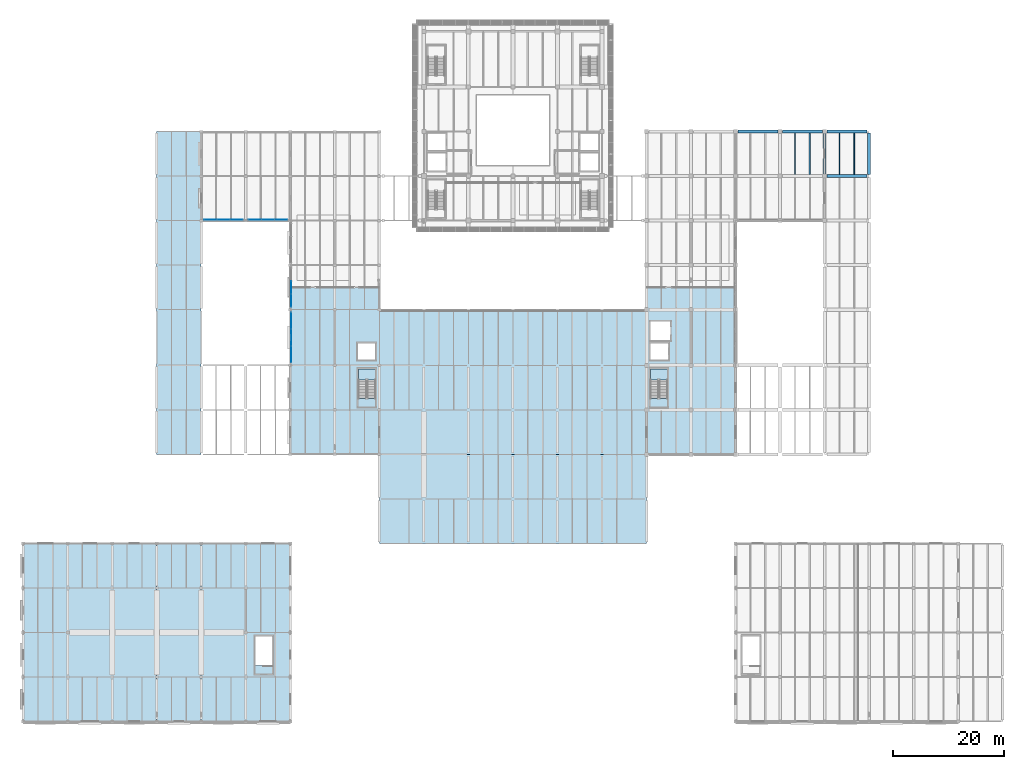
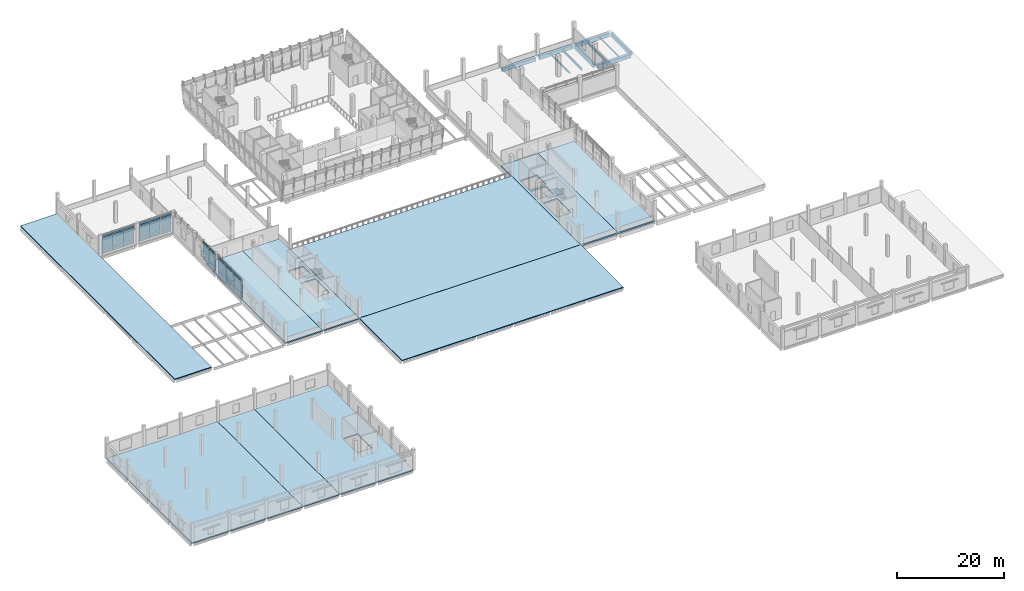
# One storey, part 22 of 52: 33 plates, 12 slabs, 10 beams, 6 elements without a shape of their own.
"""IFC4 building model written with IfcOpenShell, lengths in metres."""

from ifc_helpers import new_model, si_unit, direction, frame, origin, origin_2d, place, context, subcontext, project, spatial, polyline, rectangle, i_section, outline, extrude, material, layer, layer_set, material_profile, profile_set, type_object, element, aggregate, save


model = new_model("IFC4")

# Units and contexts
model_context = context("Model", 3, precision=1e-05, world=origin(), true_north=direction((0.0, 1.0)))
body_context = subcontext(model_context, "Body", "Model", "MODEL_VIEW")
ifc_project = project(units=[si_unit("LENGTHUNIT", "METRE"), si_unit("AREAUNIT", "SQUARE_METRE"), si_unit("VOLUMEUNIT", "CUBIC_METRE"), si_unit("PLANEANGLEUNIT", "RADIAN"), si_unit("MASSUNIT", "GRAM", prefix="KILO")], contexts=[model_context])

# Site, building, storey
site_placement = place(None, origin())
site = spatial("IfcSite", under=ifc_project, at=site_placement, CompositionType="ELEMENT")
building_placement = place(site_placement, origin())
building = spatial("IfcBuilding", under=site, at=building_placement, Name="Pecanmere Concourse Central Library", CompositionType="ELEMENT")
storey_placement = place(building_placement, frame((0.0, 0.0, 10.5)))
storey = spatial("IfcBuildingStorey", under=building, at=storey_placement, Name="L03", CompositionType="ELEMENT", Elevation=10.5)

# Beams
ifc_material_1 = material(Name="Concrete C40/50", Category="concrete")
ifc_material_profile_1 = material_profile(ifc_material_1, rectangle(XDim=0.52001953125, YDim=0.77001953125, at=origin_2d()), Name="RC 520x770")
ifc_profile_set_1 = profile_set([ifc_material_profile_1], Name="Concrete C40/50")
beam_type_1 = type_object("IfcBeamType", Name="GRD_520x770", PredefinedType="USERDEFINED", material=ifc_profile_set_1)
for number, where, z_axis, x_axis, name in (
    (1, (144.0, 98.300048828125, -0.72509765625), (0.0, 1.0, 0.0), (-1.0, 0.0, 0.0), "Primary Girder Y L03-1811"),
    (2, (152.0, 98.300048828125, -0.72509765625), (0.0, 1.0, 0.0), (-1.0, 0.0, 0.0), "Primary Girder Y L03-1822"),
):
    element("IfcBeam", number, at=place(storey_placement, frame(where, z_axis=z_axis, x_axis=x_axis)), inside=storey, type_object=beam_type_1, Name=name, ObjectType="GIRDER", PredefinedType="USERDEFINED", context=body_context, shape_type="SweptSolid", body=[
        extrude(rectangle(XDim=0.52001953125, YDim=0.77001953125, at=origin_2d()), origin(), (0.0, 0.0, 1.0), 7.39990234375),
    ])
ifc_material_2 = material(Name="Concrete C40/50", Category="concrete")
ifc_material_profile_2 = material_profile(ifc_material_2, rectangle(XDim=0.580078125, YDim=0.860107421875, at=origin_2d()), Name="RC 580x860")
ifc_profile_set_2 = profile_set([ifc_material_profile_2], Name="Concrete C40/50")
beam_type_2 = type_object("IfcBeamType", Name="GRD_580x860", PredefinedType="USERDEFINED", material=ifc_profile_set_2)
for number, where, z_axis, x_axis, name in (
    (3, (144.39990234375, 98.0, -0.77001953125), (1.0, 0.0, 0.0), (0.0, 1.0, 0.0), "Primary Girder X L03-1637"),
    (4, (128.39990234375, 106.0, -0.77001953125), (1.0, 0.0, 0.0), (0.0, 1.0, 0.0), "Primary Girder X L03-1647"),
    (5, (136.39990234375, 106.0, -0.77001953125), (1.0, 0.0, 0.0), (0.0, 1.0, 0.0), "Primary Girder X L03-1648"),
    (6, (144.39990234375, 106.0, -0.77001953125), (1.0, 0.0, 0.0), (0.0, 1.0, 0.0), "Primary Girder X L03-1649"),
):
    element("IfcBeam", number, at=place(storey_placement, frame(where, z_axis=z_axis, x_axis=x_axis)), inside=storey, type_object=beam_type_2, Name=name, ObjectType="GIRDER", PredefinedType="USERDEFINED", context=body_context, shape_type="SweptSolid", body=[
        extrude(rectangle(XDim=0.580078125, YDim=0.860107421875, at=origin_2d()), origin(), (0.0, 0.0, 1.0), 7.2001953125),
    ])
ifc_material_3 = material(Name="Structural steel ASTM A992 Grade 50", Category="steel")
ifc_material_profile_3 = material_profile(ifc_material_3, i_section(OverallWidth=0.1650390625, OverallDepth=0.200927734375, WebThickness=0.006103515625, FlangeThickness=0.01025390625, at=origin_2d()), Name="W200x35.9")
ifc_profile_set_3 = profile_set([ifc_material_profile_3], Name="Structural steel ASTM A992 Grade 50")
beam_type_3 = type_object("IfcBeamType", Name="SBM_W200x36", PredefinedType="LINTEL", material=ifc_profile_set_3)
beam_1_placement = place(storey_placement, frame((149.333251953125, 98.2900390625, -0.4404296875), z_axis=(0.0, 1.0, 0.0), x_axis=(-1.0, 0.0, 0.0)))
element("IfcBeam", 7, at=beam_1_placement, inside=storey, type_object=beam_type_3, Name="Secondary Floor Joist L03-2082", PredefinedType="LINTEL", context=body_context, shape_type="SweptSolid", body=[
    extrude(i_section(OverallWidth=0.1650390625, OverallDepth=0.200927734375, WebThickness=0.006103515625, FlangeThickness=0.01025390625, at=origin_2d()), origin(), (0.0, 0.0, 1.0), 7.419921875),
])
ifc_material_4 = material(Name="Structural steel ASTM A992 Grade 50", Category="steel")
ifc_material_profile_4 = material_profile(ifc_material_4, i_section(OverallWidth=0.25390625, OverallDepth=0.2529296875, WebThickness=0.008544921875, FlangeThickness=0.01416015625, at=origin_2d()), Name="W250x73")
ifc_profile_set_4 = profile_set([ifc_material_profile_4], Name="Structural steel ASTM A992 Grade 50")
beam_type_4 = type_object("IfcBeamType", Name="SBM_W250x73", PredefinedType="BEAM", material=ifc_profile_set_4)
beam_2_placement = place(storey_placement, frame((138.666748046875, 98.2900390625, -0.466552734375), z_axis=(0.0, 1.0, 0.0), x_axis=(-1.0, 0.0, 0.0)))
element("IfcBeam", 8, at=beam_2_placement, inside=storey, type_object=beam_type_4, Name="Secondary Floor Joist L03-2059", PredefinedType="BEAM", context=body_context, shape_type="SweptSolid", body=[
    extrude(i_section(OverallWidth=0.25390625, OverallDepth=0.2529296875, WebThickness=0.008544921875, FlangeThickness=0.01416015625, at=origin_2d()), origin(), (0.0, 0.0, 1.0), 7.419921875),
])
ifc_material_5 = material(Name="Structural steel ASTM A992 Grade 50", Category="steel")
ifc_material_profile_5 = material_profile(ifc_material_5, i_section(OverallWidth=0.2109375, OverallDepth=0.5390625, WebThickness=0.01171875, FlangeThickness=0.018798828125, at=origin_2d()), Name="W530x109")
ifc_profile_set_5 = profile_set([ifc_material_profile_5], Name="Structural steel ASTM A992 Grade 50")
beam_type_5 = type_object("IfcBeamType", Name="SBM_W530x109", PredefinedType="USERDEFINED", material=ifc_profile_set_5)
beam_3_placement = place(storey_placement, frame((146.666748046875, 98.2900390625, -0.609619140625), z_axis=(0.0, 1.0, 0.0), x_axis=(-1.0, 0.0, 0.0)))
element("IfcBeam", 9, at=beam_3_placement, inside=storey, type_object=beam_type_5, Name="Secondary Floor Joist L03-2081", ObjectType="GIRDER", PredefinedType="USERDEFINED", context=body_context, shape_type="SweptSolid", body=[
    extrude(i_section(OverallWidth=0.2109375, OverallDepth=0.5390625, WebThickness=0.01171875, FlangeThickness=0.018798828125, at=origin_2d()), origin(), (0.0, 0.0, 1.0), 7.419921875),
])
ifc_material_6 = material(Name="Structural steel ASTM A992 Grade 50", Category="steel")
ifc_material_profile_6 = material_profile(ifc_material_6, i_section(OverallWidth=0.208984375, OverallDepth=0.532958984375, WebThickness=0.01025390625, FlangeThickness=0.015625, at=origin_2d()), Name="W530x92")
ifc_profile_set_6 = profile_set([ifc_material_profile_6], Name="Structural steel ASTM A992 Grade 50")
beam_type_6 = type_object("IfcBeamType", Name="SBM_W530x92", PredefinedType="BEAM", material=ifc_profile_set_6)
beam_4_placement = place(storey_placement, frame((141.333251953125, 98.2900390625, -0.6064453125), z_axis=(0.0, 1.0, 0.0), x_axis=(-1.0, 0.0, 0.0)))
element("IfcBeam", 10, at=beam_4_placement, inside=storey, type_object=beam_type_6, Name="Secondary Floor Joist L03-2060", PredefinedType="BEAM", context=body_context, shape_type="SweptSolid", body=[
    extrude(i_section(OverallWidth=0.208984375, OverallDepth=0.532958984375, WebThickness=0.01025390625, FlangeThickness=0.015625, at=origin_2d()), origin(), (0.0, 0.0, 1.0), 7.419921875),
])

# Curtain wall, plates
ifc_material_7 = material(Name="Clear anodized aluminium alloy 6063-T6", Category="aluminium")
curtain_wall_type = type_object("IfcCurtainWallType", Name="CW_CLOISTER_GLAZ", PredefinedType="USERDEFINED", material=ifc_material_7)
curtain_wall_1_placement = place(storey_placement, origin())
curtain_wall_1 = element("IfcCurtainWall", 11, at=curtain_wall_1_placement, inside=storey, type_object=curtain_wall_type, Name="Unitised Curtain Wall CW-04 L03-130", ObjectType="UNITISED CURTAIN WALL", PredefinedType="USERDEFINED")
ifc_material_8 = material(Name="White ceramic-fritted insulated spandrel glazing", Category="glass")
ifc_layer_1 = layer(ifc_material_8, 0.053955078125, Name="CWP_SPN_54")
ifc_layer_set_1 = layer_set([ifc_layer_1], Name="White ceramic-fritted insulated spandrel glazing")
plate_type_1 = type_object("IfcPlateType", Name="CWP_SPN_54", PredefinedType="CURTAIN_PANEL", material=ifc_layer_set_1)
plate_1_placement = place(storey_placement, frame((48.14990234375, 71.998291015625, 0.139892578125), z_axis=(0.0, 0.0, 1.0), x_axis=(0.0, -1.0, 0.0)))
plate_1 = element("IfcPlate", 12, at=plate_1_placement, type_object=plate_type_1, Name="CW-04 Spandrel Panel 1.1", PredefinedType="CURTAIN_PANEL", context=body_context, shape_type="SweptSolid", body=[
    extrude(rectangle(XDim=2.92333984375, YDim=0.035888671875, at=origin_2d()), origin(), (0.0, 0.0, 1.0), 0.7900390625),
])
plate_2_placement = place(storey_placement, frame((48.14990234375, 69.0, 0.139892578125), z_axis=(0.0, 0.0, 1.0), x_axis=(0.0, -1.0, 0.0)))
plate_2 = element("IfcPlate", 13, at=plate_2_placement, type_object=plate_type_1, Name="CW-04 Spandrel Panel 2.1", PredefinedType="CURTAIN_PANEL", context=body_context, shape_type="SweptSolid", body=[
    extrude(rectangle(XDim=2.953369140625, YDim=0.035888671875, at=origin_2d()), origin(), (0.0, 0.0, 1.0), 0.7900390625),
])
plate_3_placement = place(storey_placement, frame((48.14990234375, 66.001708984375, 0.139892578125), z_axis=(0.0, 0.0, 1.0), x_axis=(0.0, -1.0, 0.0)))
plate_3 = element("IfcPlate", 14, at=plate_3_placement, type_object=plate_type_1, Name="CW-04 Spandrel Panel 3.1", PredefinedType="CURTAIN_PANEL", context=body_context, shape_type="SweptSolid", body=[
    extrude(rectangle(XDim=2.92333984375, YDim=0.035888671875, at=origin_2d()), origin(), (0.0, 0.0, 1.0), 0.7900390625),
])

curtain_wall_2_placement = place(storey_placement, origin())
curtain_wall_2 = element("IfcCurtainWall", 15, at=curtain_wall_2_placement, inside=storey, type_object=curtain_wall_type, Name="Unitised Curtain Wall CW-04 L03-132", ObjectType="UNITISED CURTAIN WALL", PredefinedType="USERDEFINED")
plate_4_placement = place(storey_placement, frame((48.14990234375, 78.0, 0.139892578125), z_axis=(0.0, 0.0, 1.0), x_axis=(0.0, -1.0, 0.0)))
plate_4 = element("IfcPlate", 16, at=plate_4_placement, type_object=plate_type_1, Name="CW-04 Spandrel Panel 2.1", PredefinedType="CURTAIN_PANEL", context=body_context, shape_type="SweptSolid", body=[
    extrude(rectangle(XDim=2.28662109375, YDim=0.035888671875, at=origin_2d()), origin(), (0.0, 0.0, 1.0), 0.7900390625),
])
plate_5_placement = place(storey_placement, frame((48.14990234375, 75.668212890625, 0.139892578125), z_axis=(0.0, 0.0, 1.0), x_axis=(0.0, -1.0, 0.0)))
plate_5 = element("IfcPlate", 17, at=plate_5_placement, type_object=plate_type_1, Name="CW-04 Spandrel Panel 3.1", PredefinedType="CURTAIN_PANEL", context=body_context, shape_type="SweptSolid", body=[
    extrude(rectangle(XDim=2.256591796875, YDim=0.035888671875, at=origin_2d()), origin(), (0.0, 0.0, 1.0), 0.7900390625),
])

curtain_wall_3_placement = place(storey_placement, origin())
curtain_wall_3 = element("IfcCurtainWall", 18, at=curtain_wall_3_placement, inside=storey, type_object=curtain_wall_type, Name="Unitised Curtain Wall CW-04 L03-137", ObjectType="UNITISED CURTAIN WALL", PredefinedType="USERDEFINED")
plate_6_placement = place(storey_placement, frame((38.331787109375, 90.14990234375, 0.139892578125), z_axis=(0.0, 0.0, 1.0), x_axis=(-1.0, 0.0, 0.0)))
plate_6 = element("IfcPlate", 19, at=plate_6_placement, type_object=plate_type_1, Name="CW-04 Spandrel Panel 1.1", PredefinedType="CURTAIN_PANEL", context=body_context, shape_type="SweptSolid", body=[
    extrude(rectangle(XDim=2.256591796875, YDim=0.035888671875, at=origin_2d()), origin(), (0.0, 0.0, 1.0), 0.7900390625),
])
plate_7_placement = place(storey_placement, frame((36.0, 90.14990234375, 0.139892578125), z_axis=(0.0, 0.0, 1.0), x_axis=(-1.0, 0.0, 0.0)))
plate_7 = element("IfcPlate", 20, at=plate_7_placement, type_object=plate_type_1, Name="CW-04 Spandrel Panel 2.1", PredefinedType="CURTAIN_PANEL", context=body_context, shape_type="SweptSolid", body=[
    extrude(rectangle(XDim=2.28662109375, YDim=0.035888671875, at=origin_2d()), origin(), (0.0, 0.0, 1.0), 0.7900390625),
])
plate_8_placement = place(storey_placement, frame((33.668212890625, 90.14990234375, 0.139892578125), z_axis=(0.0, 0.0, 1.0), x_axis=(-1.0, 0.0, 0.0)))
plate_8 = element("IfcPlate", 21, at=plate_8_placement, type_object=plate_type_1, Name="CW-04 Spandrel Panel 3.1", PredefinedType="CURTAIN_PANEL", context=body_context, shape_type="SweptSolid", body=[
    extrude(rectangle(XDim=2.256591796875, YDim=0.035888671875, at=origin_2d()), origin(), (0.0, 0.0, 1.0), 0.7900390625),
])

curtain_wall_4_placement = place(storey_placement, origin())
curtain_wall_4 = element("IfcCurtainWall", 22, at=curtain_wall_4_placement, inside=storey, type_object=curtain_wall_type, Name="Unitised Curtain Wall CW-04 L03-138", ObjectType="UNITISED CURTAIN WALL", PredefinedType="USERDEFINED")
plate_9_placement = place(storey_placement, frame((46.331787109375, 90.14990234375, 0.139892578125), z_axis=(0.0, 0.0, 1.0), x_axis=(-1.0, 0.0, 0.0)))
plate_9 = element("IfcPlate", 23, at=plate_9_placement, type_object=plate_type_1, Name="CW-04 Spandrel Panel 1.1", PredefinedType="CURTAIN_PANEL", context=body_context, shape_type="SweptSolid", body=[
    extrude(rectangle(XDim=2.256591796875, YDim=0.035888671875, at=origin_2d()), origin(), (0.0, 0.0, 1.0), 0.7900390625),
])
plate_10_placement = place(storey_placement, frame((44.0, 90.14990234375, 0.139892578125), z_axis=(0.0, 0.0, 1.0), x_axis=(-1.0, 0.0, 0.0)))
plate_10 = element("IfcPlate", 24, at=plate_10_placement, type_object=plate_type_1, Name="CW-04 Spandrel Panel 2.1", PredefinedType="CURTAIN_PANEL", context=body_context, shape_type="SweptSolid", body=[
    extrude(rectangle(XDim=2.28662109375, YDim=0.035888671875, at=origin_2d()), origin(), (0.0, 0.0, 1.0), 0.7900390625),
])
plate_11_placement = place(storey_placement, frame((41.668212890625, 90.14990234375, 0.139892578125), z_axis=(0.0, 0.0, 1.0), x_axis=(-1.0, 0.0, 0.0)))
plate_11 = element("IfcPlate", 25, at=plate_11_placement, type_object=plate_type_1, Name="CW-04 Spandrel Panel 3.1", PredefinedType="CURTAIN_PANEL", context=body_context, shape_type="SweptSolid", body=[
    extrude(rectangle(XDim=2.256591796875, YDim=0.035888671875, at=origin_2d()), origin(), (0.0, 0.0, 1.0), 0.7900390625),
])

# Plate
ifc_material_9 = material(Name="Low-iron clear insulated glazing", Category="glass")
ifc_layer_2 = layer(ifc_material_9, 0.035888671875, Name="CWP_VIS_36")
ifc_layer_set_2 = layer_set([ifc_layer_2], Name="Low-iron clear insulated glazing")
plate_type_2 = type_object("IfcPlateType", Name="CWP_VIS_36", PredefinedType="CURTAIN_PANEL", material=ifc_layer_set_2)
plate_12_placement = place(storey_placement, frame((48.14990234375, 71.998291015625, 1.06982421875), z_axis=(0.0, 0.0, 1.0), x_axis=(0.0, -1.0, 0.0)))
plate_12 = element("IfcPlate", 26, at=plate_12_placement, type_object=plate_type_2, Name="CW-04 Vision Panel 1.2", PredefinedType="CURTAIN_PANEL", context=body_context, shape_type="SweptSolid", body=[
    extrude(rectangle(XDim=2.92333984375, YDim=0.035888671875, at=origin_2d()), origin(), (0.0, 0.0, 1.0), 2.639892578125),
])

plate_13_placement = place(storey_placement, frame((48.14990234375, 71.998291015625, 3.85009765625), z_axis=(0.0, 0.0, 1.0), x_axis=(0.0, -1.0, 0.0)))
plate_13 = element("IfcPlate", 27, at=plate_13_placement, type_object=plate_type_2, Name="CW-04 Vision Panel 1.3", PredefinedType="CURTAIN_PANEL", context=body_context, shape_type="SweptSolid", body=[
    extrude(rectangle(XDim=2.92333984375, YDim=0.035888671875, at=origin_2d()), origin(), (0.0, 0.0, 1.0), 0.489990234375),
])

plate_14_placement = place(storey_placement, frame((48.14990234375, 69.0, 1.06982421875), z_axis=(0.0, 0.0, 1.0), x_axis=(0.0, -1.0, 0.0)))
plate_14 = element("IfcPlate", 28, at=plate_14_placement, type_object=plate_type_2, Name="CW-04 Vision Panel 2.2", PredefinedType="CURTAIN_PANEL", context=body_context, shape_type="SweptSolid", body=[
    extrude(rectangle(XDim=2.953369140625, YDim=0.035888671875, at=origin_2d()), origin(), (0.0, 0.0, 1.0), 2.639892578125),
])

plate_15_placement = place(storey_placement, frame((48.14990234375, 69.0, 3.85009765625), z_axis=(0.0, 0.0, 1.0), x_axis=(0.0, -1.0, 0.0)))
plate_15 = element("IfcPlate", 29, at=plate_15_placement, type_object=plate_type_2, Name="CW-04 Vision Panel 2.3", PredefinedType="CURTAIN_PANEL", context=body_context, shape_type="SweptSolid", body=[
    extrude(rectangle(XDim=2.953369140625, YDim=0.035888671875, at=origin_2d()), origin(), (0.0, 0.0, 1.0), 0.489990234375),
])

plate_16_placement = place(storey_placement, frame((48.14990234375, 66.001708984375, 1.06982421875), z_axis=(0.0, 0.0, 1.0), x_axis=(0.0, -1.0, 0.0)))
plate_16 = element("IfcPlate", 30, at=plate_16_placement, type_object=plate_type_2, Name="CW-04 Vision Panel 3.2", PredefinedType="CURTAIN_PANEL", context=body_context, shape_type="SweptSolid", body=[
    extrude(rectangle(XDim=2.92333984375, YDim=0.035888671875, at=origin_2d()), origin(), (0.0, 0.0, 1.0), 2.639892578125),
])

plate_17_placement = place(storey_placement, frame((48.14990234375, 66.001708984375, 3.85009765625), z_axis=(0.0, 0.0, 1.0), x_axis=(0.0, -1.0, 0.0)))
plate_17 = element("IfcPlate", 31, at=plate_17_placement, type_object=plate_type_2, Name="CW-04 Vision Panel 3.3", PredefinedType="CURTAIN_PANEL", context=body_context, shape_type="SweptSolid", body=[
    extrude(rectangle(XDim=2.92333984375, YDim=0.035888671875, at=origin_2d()), origin(), (0.0, 0.0, 1.0), 0.489990234375),
])

aggregate(curtain_wall_1, [plate_1, plate_12, plate_13, plate_2, plate_14, plate_15, plate_3, plate_16, plate_17])

plate_18_placement = place(storey_placement, frame((48.14990234375, 78.0, 1.06982421875), z_axis=(0.0, 0.0, 1.0), x_axis=(0.0, -1.0, 0.0)))
plate_18 = element("IfcPlate", 32, at=plate_18_placement, type_object=plate_type_2, Name="CW-04 Vision Panel 2.2", PredefinedType="CURTAIN_PANEL", context=body_context, shape_type="SweptSolid", body=[
    extrude(rectangle(XDim=2.28662109375, YDim=0.035888671875, at=origin_2d()), origin(), (0.0, 0.0, 1.0), 2.639892578125),
])

plate_19_placement = place(storey_placement, frame((48.14990234375, 78.0, 3.85009765625), z_axis=(0.0, 0.0, 1.0), x_axis=(0.0, -1.0, 0.0)))
plate_19 = element("IfcPlate", 33, at=plate_19_placement, type_object=plate_type_2, Name="CW-04 Vision Panel 2.3", PredefinedType="CURTAIN_PANEL", context=body_context, shape_type="SweptSolid", body=[
    extrude(rectangle(XDim=2.28662109375, YDim=0.035888671875, at=origin_2d()), origin(), (0.0, 0.0, 1.0), 0.489990234375),
])

plate_20_placement = place(storey_placement, frame((48.14990234375, 75.668212890625, 1.06982421875), z_axis=(0.0, 0.0, 1.0), x_axis=(0.0, -1.0, 0.0)))
plate_20 = element("IfcPlate", 34, at=plate_20_placement, type_object=plate_type_2, Name="CW-04 Vision Panel 3.2", PredefinedType="CURTAIN_PANEL", context=body_context, shape_type="SweptSolid", body=[
    extrude(rectangle(XDim=2.256591796875, YDim=0.035888671875, at=origin_2d()), origin(), (0.0, 0.0, 1.0), 2.639892578125),
])

plate_21_placement = place(storey_placement, frame((48.14990234375, 75.668212890625, 3.85009765625), z_axis=(0.0, 0.0, 1.0), x_axis=(0.0, -1.0, 0.0)))
plate_21 = element("IfcPlate", 35, at=plate_21_placement, type_object=plate_type_2, Name="CW-04 Vision Panel 3.3", PredefinedType="CURTAIN_PANEL", context=body_context, shape_type="SweptSolid", body=[
    extrude(rectangle(XDim=2.256591796875, YDim=0.035888671875, at=origin_2d()), origin(), (0.0, 0.0, 1.0), 0.489990234375),
])

aggregate(curtain_wall_2, [plate_4, plate_18, plate_19, plate_5, plate_20, plate_21])

plate_22_placement = place(storey_placement, frame((38.331787109375, 90.14990234375, 1.06982421875), z_axis=(0.0, 0.0, 1.0), x_axis=(-1.0, 0.0, 0.0)))
plate_22 = element("IfcPlate", 36, at=plate_22_placement, type_object=plate_type_2, Name="CW-04 Vision Panel 1.2", PredefinedType="CURTAIN_PANEL", context=body_context, shape_type="SweptSolid", body=[
    extrude(rectangle(XDim=2.256591796875, YDim=0.035888671875, at=origin_2d()), origin(), (0.0, 0.0, 1.0), 2.639892578125),
])

plate_23_placement = place(storey_placement, frame((38.331787109375, 90.14990234375, 3.85009765625), z_axis=(0.0, 0.0, 1.0), x_axis=(-1.0, 0.0, 0.0)))
plate_23 = element("IfcPlate", 37, at=plate_23_placement, type_object=plate_type_2, Name="CW-04 Vision Panel 1.3", PredefinedType="CURTAIN_PANEL", context=body_context, shape_type="SweptSolid", body=[
    extrude(rectangle(XDim=2.256591796875, YDim=0.035888671875, at=origin_2d()), origin(), (0.0, 0.0, 1.0), 0.489990234375),
])

plate_24_placement = place(storey_placement, frame((36.0, 90.14990234375, 1.06982421875), z_axis=(0.0, 0.0, 1.0), x_axis=(-1.0, 0.0, 0.0)))
plate_24 = element("IfcPlate", 38, at=plate_24_placement, type_object=plate_type_2, Name="CW-04 Vision Panel 2.2", PredefinedType="CURTAIN_PANEL", context=body_context, shape_type="SweptSolid", body=[
    extrude(rectangle(XDim=2.28662109375, YDim=0.035888671875, at=origin_2d()), origin(), (0.0, 0.0, 1.0), 2.639892578125),
])

plate_25_placement = place(storey_placement, frame((36.0, 90.14990234375, 3.85009765625), z_axis=(0.0, 0.0, 1.0), x_axis=(-1.0, 0.0, 0.0)))
plate_25 = element("IfcPlate", 39, at=plate_25_placement, type_object=plate_type_2, Name="CW-04 Vision Panel 2.3", PredefinedType="CURTAIN_PANEL", context=body_context, shape_type="SweptSolid", body=[
    extrude(rectangle(XDim=2.28662109375, YDim=0.035888671875, at=origin_2d()), origin(), (0.0, 0.0, 1.0), 0.489990234375),
])

plate_26_placement = place(storey_placement, frame((33.668212890625, 90.14990234375, 1.06982421875), z_axis=(0.0, 0.0, 1.0), x_axis=(-1.0, 0.0, 0.0)))
plate_26 = element("IfcPlate", 40, at=plate_26_placement, type_object=plate_type_2, Name="CW-04 Vision Panel 3.2", PredefinedType="CURTAIN_PANEL", context=body_context, shape_type="SweptSolid", body=[
    extrude(rectangle(XDim=2.256591796875, YDim=0.035888671875, at=origin_2d()), origin(), (0.0, 0.0, 1.0), 2.639892578125),
])

plate_27_placement = place(storey_placement, frame((33.668212890625, 90.14990234375, 3.85009765625), z_axis=(0.0, 0.0, 1.0), x_axis=(-1.0, 0.0, 0.0)))
plate_27 = element("IfcPlate", 41, at=plate_27_placement, type_object=plate_type_2, Name="CW-04 Vision Panel 3.3", PredefinedType="CURTAIN_PANEL", context=body_context, shape_type="SweptSolid", body=[
    extrude(rectangle(XDim=2.256591796875, YDim=0.035888671875, at=origin_2d()), origin(), (0.0, 0.0, 1.0), 0.489990234375),
])

aggregate(curtain_wall_3, [plate_6, plate_22, plate_23, plate_7, plate_24, plate_25, plate_8, plate_26, plate_27])

plate_28_placement = place(storey_placement, frame((46.331787109375, 90.14990234375, 1.06982421875), z_axis=(0.0, 0.0, 1.0), x_axis=(-1.0, 0.0, 0.0)))
plate_28 = element("IfcPlate", 42, at=plate_28_placement, type_object=plate_type_2, Name="CW-04 Vision Panel 1.2", PredefinedType="CURTAIN_PANEL", context=body_context, shape_type="SweptSolid", body=[
    extrude(rectangle(XDim=2.256591796875, YDim=0.035888671875, at=origin_2d()), origin(), (0.0, 0.0, 1.0), 2.639892578125),
])

plate_29_placement = place(storey_placement, frame((46.331787109375, 90.14990234375, 3.85009765625), z_axis=(0.0, 0.0, 1.0), x_axis=(-1.0, 0.0, 0.0)))
plate_29 = element("IfcPlate", 43, at=plate_29_placement, type_object=plate_type_2, Name="CW-04 Vision Panel 1.3", PredefinedType="CURTAIN_PANEL", context=body_context, shape_type="SweptSolid", body=[
    extrude(rectangle(XDim=2.256591796875, YDim=0.035888671875, at=origin_2d()), origin(), (0.0, 0.0, 1.0), 0.489990234375),
])

plate_30_placement = place(storey_placement, frame((44.0, 90.14990234375, 1.06982421875), z_axis=(0.0, 0.0, 1.0), x_axis=(-1.0, 0.0, 0.0)))
plate_30 = element("IfcPlate", 44, at=plate_30_placement, type_object=plate_type_2, Name="CW-04 Vision Panel 2.2", PredefinedType="CURTAIN_PANEL", context=body_context, shape_type="SweptSolid", body=[
    extrude(rectangle(XDim=2.28662109375, YDim=0.035888671875, at=origin_2d()), origin(), (0.0, 0.0, 1.0), 2.639892578125),
])

plate_31_placement = place(storey_placement, frame((44.0, 90.14990234375, 3.85009765625), z_axis=(0.0, 0.0, 1.0), x_axis=(-1.0, 0.0, 0.0)))
plate_31 = element("IfcPlate", 45, at=plate_31_placement, type_object=plate_type_2, Name="CW-04 Vision Panel 2.3", PredefinedType="CURTAIN_PANEL", context=body_context, shape_type="SweptSolid", body=[
    extrude(rectangle(XDim=2.28662109375, YDim=0.035888671875, at=origin_2d()), origin(), (0.0, 0.0, 1.0), 0.489990234375),
])

plate_32_placement = place(storey_placement, frame((41.668212890625, 90.14990234375, 1.06982421875), z_axis=(0.0, 0.0, 1.0), x_axis=(-1.0, 0.0, 0.0)))
plate_32 = element("IfcPlate", 46, at=plate_32_placement, type_object=plate_type_2, Name="CW-04 Vision Panel 3.2", PredefinedType="CURTAIN_PANEL", context=body_context, shape_type="SweptSolid", body=[
    extrude(rectangle(XDim=2.256591796875, YDim=0.035888671875, at=origin_2d()), origin(), (0.0, 0.0, 1.0), 2.639892578125),
])

plate_33_placement = place(storey_placement, frame((41.668212890625, 90.14990234375, 3.85009765625), z_axis=(0.0, 0.0, 1.0), x_axis=(-1.0, 0.0, 0.0)))
plate_33 = element("IfcPlate", 47, at=plate_33_placement, type_object=plate_type_2, Name="CW-04 Vision Panel 3.3", PredefinedType="CURTAIN_PANEL", context=body_context, shape_type="SweptSolid", body=[
    extrude(rectangle(XDim=2.256591796875, YDim=0.035888671875, at=origin_2d()), origin(), (0.0, 0.0, 1.0), 0.489990234375),
])

aggregate(curtain_wall_4, [plate_9, plate_28, plate_29, plate_10, plate_30, plate_31, plate_11, plate_32, plate_33])

# Slabs
ifc_material_10 = material(Name="Concrete C35/45", Category="concrete")
ifc_layer_3 = layer(ifc_material_10, 0.340087890625, Name="SLAB_COMPACT_340")
ifc_layer_set_3 = layer_set([ifc_layer_3], Name="Concrete C35/45")
slab_type_1 = type_object("IfcSlabType", Name="SLAB_COMPACT_340", PredefinedType="FLOOR", material=ifc_layer_set_3)
slab_1_placement = place(storey_placement, frame((0.0, 0.0, -0.340087890625)))
element("IfcSlab", 48, at=slab_1_placement, inside=storey, type_object=slab_type_1, Name="Floor Slab V2 L03-104", PredefinedType="FLOOR", context=body_context, shape_type="SweptSolid", body=[
    extrude(outline(polyline([(112.0, 48.0), (112.0, 78.0), (120.0, 78.0), (120.0, 48.0), (112.0, 48.0)]), holes=[polyline([(115.760009765625, 63.3701171875), (112.699951171875, 63.3701171875), (112.699951171875, 58.030029296875), (115.760009765625, 58.030029296875), (115.760009765625, 63.3701171875)]), polyline([(115.89990234375, 68.0), (112.699951171875, 68.0), (112.699951171875, 65.0), (115.89990234375, 65.0), (115.89990234375, 68.0)]), polyline([(116.300048828125, 71.89990234375), (112.699951171875, 71.89990234375), (112.699951171875, 68.5), (116.300048828125, 68.5), (116.300048828125, 71.89990234375)])]), origin(), (0.0, 0.0, 1.0), 0.340087890625),
])
slab_2_placement = place(storey_placement, frame((0.0, 0.0, -0.340087890625)))
element("IfcSlab", 49, at=slab_2_placement, inside=storey, type_object=slab_type_1, Name="Floor Slab V2 L03-106", PredefinedType="FLOOR", context=body_context, shape_type="SweptSolid", body=[
    extrude(outline(polyline([(120.0, 78.0), (128.0, 78.0), (128.0, 49.60009765625), (127.919921875, 49.60009765625), (127.919921875, 49.0), (128.0, 49.0), (128.0, 48.0), (120.0, 48.0), (120.0, 78.0)])), origin(), (0.0, 0.0, 1.0), 0.340087890625),
])

# Stair, slab
ifc_material_11 = material(Name="Concrete C35/45", Category="concrete")
stair_type_1 = type_object("IfcStairType", Name="STAIR_TYPE_ST-05-1846", PredefinedType="USERDEFINED", material=ifc_material_11)
stair_1_placement = place(storey_placement, origin())
stair_1 = element("IfcStair", 50, at=stair_1_placement, inside=storey, type_object=stair_type_1, Name="L03 Protected Stair ST-05", ObjectType="TWO_RETURN_STAIR", PredefinedType="USERDEFINED")
ifc_material_12 = material(Name="Concrete C35/45", Category="concrete")
ifc_layer_4 = layer(ifc_material_12, 0.199951171875, Name="SLAB_LANDING_200")
ifc_layer_set_4 = layer_set([ifc_layer_4], Name="Concrete C35/45")
slab_type_2 = type_object("IfcSlabType", Name="SLAB_LANDING_200", PredefinedType="LANDING", material=ifc_layer_set_4)
slab_3_placement = place(storey_placement, frame((0.0, 0.0, 2.199951171875)))
slab_3 = element("IfcSlab", 51, at=slab_3_placement, type_object=slab_type_2, Name="ST-05-1846 landing 1", PredefinedType="LANDING", context=body_context, shape_type="SweptSolid", body=[
    extrude(outline(polyline([(115.760009765625, 61.360107421875), (115.760009765625, 63.3701171875), (112.699951171875, 63.3701171875), (112.699951171875, 61.360107421875), (115.760009765625, 61.360107421875)])), origin(), (0.0, 0.0, 1.0), 0.199951171875),
])
aggregate(stair_1, [slab_3])

ifc_material_13 = material(Name="Concrete C35/45", Category="concrete")
stair_type_2 = type_object("IfcStairType", Name="STAIR_TYPE_ST-06-1846", PredefinedType="USERDEFINED", material=ifc_material_13)
stair_2_placement = place(storey_placement, origin())
stair_2 = element("IfcStair", 52, at=stair_2_placement, inside=storey, type_object=stair_type_2, Name="L03 Protected Stair ST-06", ObjectType="TWO_RETURN_STAIR", PredefinedType="USERDEFINED")
slab_4_placement = place(storey_placement, frame((0.0, 0.0, 2.199951171875)))
slab_4 = element("IfcSlab", 53, at=slab_4_placement, type_object=slab_type_2, Name="ST-06-1846 landing 1", PredefinedType="LANDING", context=body_context, shape_type="SweptSolid", body=[
    extrude(outline(polyline([(63.300048828125, 61.360107421875), (63.300048828125, 63.3701171875), (60.239990234375, 63.3701171875), (60.239990234375, 61.360107421875), (63.300048828125, 61.360107421875)])), origin(), (0.0, 0.0, 1.0), 0.199951171875),
])
aggregate(stair_2, [slab_4])

# Slabs
ifc_material_14 = material(Name="Concrete C35/45", Category="concrete")
ifc_layer_5 = layer(ifc_material_14, 0.264892578125, Name="SLAB_READ_265")
ifc_layer_set_5 = layer_set([ifc_layer_5], Name="Concrete C35/45")
slab_type_3 = type_object("IfcSlabType", Name="SLAB_READ_265", PredefinedType="FLOOR", material=ifc_layer_set_5)
slab_5_placement = place(storey_placement, frame((0.0, 0.0, -0.264892578125)))
element("IfcSlab", 54, at=slab_5_placement, inside=storey, type_object=slab_type_3, Name="Floor Slab V3 L03-110", PredefinedType="FLOOR", context=body_context, shape_type="SweptSolid", body=[
    extrude(outline(polyline([(56.0, 49.60009765625), (55.919921875, 49.60009765625), (55.919921875, 49.0), (56.0, 49.0), (56.0, 48.0), (48.0, 48.0), (48.0, 78.0), (56.0, 78.0), (56.0, 49.60009765625)])), origin(), (0.0, 0.0, 1.0), 0.264892578125),
])
slab_6_placement = place(storey_placement, frame((0.0, 0.0, -0.264892578125)))
element("IfcSlab", 55, at=slab_6_placement, inside=storey, type_object=slab_type_3, Name="Floor Slab V3 L03-112", PredefinedType="FLOOR", context=body_context, shape_type="SweptSolid", body=[
    extrude(outline(polyline([(64.0, 78.0), (64.0, 48.0), (56.0, 48.0), (56.0, 78.0), (64.0, 78.0)]), holes=[polyline([(63.300048828125, 63.3701171875), (60.239990234375, 63.3701171875), (60.239990234375, 58.030029296875), (63.300048828125, 58.030029296875), (63.300048828125, 63.3701171875)]), polyline([(63.300048828125, 68.0), (60.10009765625, 68.0), (60.10009765625, 65.0), (63.300048828125, 65.0), (63.300048828125, 68.0)])]), origin(), (0.0, 0.0, 1.0), 0.264892578125),
])
slab_7_placement = place(storey_placement, frame((0.0, 0.0, -0.264892578125)))
element("IfcSlab", 56, at=slab_7_placement, inside=storey, type_object=slab_type_3, Name="Floor Slab V4 L03-114", PredefinedType="FLOOR", context=body_context, shape_type="SweptSolid", body=[
    extrude(outline(polyline([(0.0, 0.0), (0.0, 32.0), (24.0, 32.0), (24.0, 1.60009765625), (23.919921875, 1.60009765625), (23.919921875, 1.0), (24.0, 1.0), (24.0, 0.0), (0.0, 0.0)])), origin(), (0.0, 0.0, 1.0), 0.264892578125),
])
slab_8_placement = place(storey_placement, frame((0.0, 0.0, -0.264892578125)))
element("IfcSlab", 57, at=slab_8_placement, inside=storey, type_object=slab_type_3, Name="Floor Slab V4 L03-115", PredefinedType="FLOOR", context=body_context, shape_type="SweptSolid", body=[
    extrude(outline(polyline([(24.0, 32.0), (32.0, 32.0), (32.0, 1.60009765625), (31.919921875, 1.60009765625), (31.919921875, 1.0), (32.0, 1.0), (32.0, 0.0), (24.0, 0.0), (24.0, 32.0)])), origin(), (0.0, 0.0, 1.0), 0.264892578125),
])
slab_9_placement = place(storey_placement, frame((0.0, 0.0, -0.264892578125)))
element("IfcSlab", 58, at=slab_9_placement, inside=storey, type_object=slab_type_3, Name="Floor Slab V4 L03-116", PredefinedType="FLOOR", context=body_context, shape_type="SweptSolid", body=[
    extrude(outline(polyline([(32.0, 0.0), (32.0, 32.0), (48.0, 32.0), (48.0, 0.0), (32.0, 0.0)]), holes=[polyline([(44.760009765625, 15.3701171875), (41.699951171875, 15.3701171875), (41.699951171875, 10.030029296875), (44.760009765625, 10.030029296875), (44.760009765625, 15.3701171875)])]), origin(), (0.0, 0.0, 1.0), 0.264892578125),
])
ifc_material_15 = material(Name="Concrete C35/45", Category="concrete")
ifc_layer_6 = layer(ifc_material_15, 0.215087890625, Name="SLAB_ROOF_215")
ifc_layer_set_6 = layer_set([ifc_layer_6], Name="Concrete C35/45")
slab_type_4 = type_object("IfcSlabType", Name="SLAB_ROOF_215", PredefinedType="ROOF", material=ifc_layer_set_6)
slab_10_placement = place(storey_placement, frame((0.0, 0.0, -0.215087890625)))
element("IfcSlab", 59, at=slab_10_placement, inside=storey, type_object=slab_type_4, Name="Wing Roof Slab ROOF_V6_SOUTH_L03", PredefinedType="ROOF", context=body_context, shape_type="SweptSolid", body=[
    extrude(outline(polyline([(112.0, 32.0), (112.0, 48.0), (64.0, 48.0), (64.0, 32.0), (112.0, 32.0)])), origin(), (0.0, 0.0, 1.0), 0.215087890625),
])
slab_11_placement = place(storey_placement, frame((0.0, 0.0, -0.215087890625)))
element("IfcSlab", 60, at=slab_11_placement, inside=storey, type_object=slab_type_4, Name="Wing Roof Slab ROOF_V3_WEST_L03", PredefinedType="ROOF", context=body_context, shape_type="SweptSolid", body=[
    extrude(outline(polyline([(32.0, 48.0), (32.0, 106.0), (24.0, 106.0), (24.0, 48.0), (32.0, 48.0)])), origin(), (0.0, 0.0, 1.0), 0.215087890625),
])
ifc_material_16 = material(Name="Concrete C35/45", Category="concrete")
ifc_layer_7 = layer(ifc_material_16, 0.2548828125, Name="SLAB_TERR_255")
ifc_layer_set_7 = layer_set([ifc_layer_7], Name="Concrete C35/45")
slab_type_5 = type_object("IfcSlabType", Name="SLAB_TERR_255", PredefinedType="FLOOR", material=ifc_layer_set_7)
slab_12_placement = place(storey_placement, frame((0.0, 0.0, -0.2548828125)))
element("IfcSlab", 61, at=slab_12_placement, inside=storey, type_object=slab_type_5, Name="Planted Civic Roof Terrace", PredefinedType="FLOOR", context=body_context, shape_type="SweptSolid", body=[
    extrude(outline(polyline([(111.9951171875, 48.0048828125), (64.0048828125, 48.0048828125), (64.0048828125, 73.9951171875), (111.9951171875, 73.9951171875), (111.9951171875, 48.0048828125)])), origin(), (0.0, 0.0, 1.0), 0.2548828125),
])

save(model, "model.ifc")
